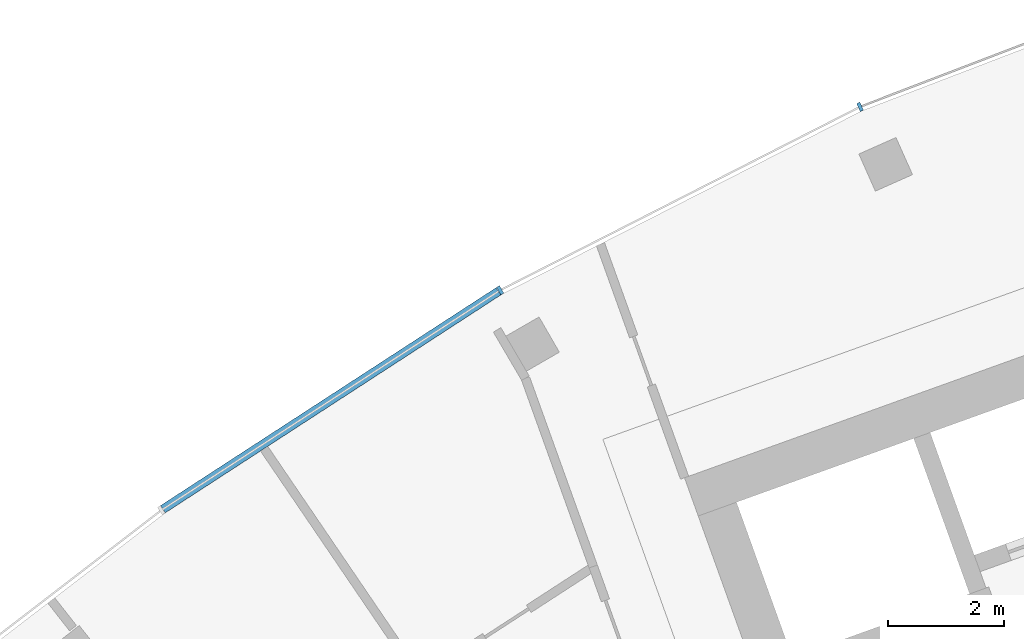
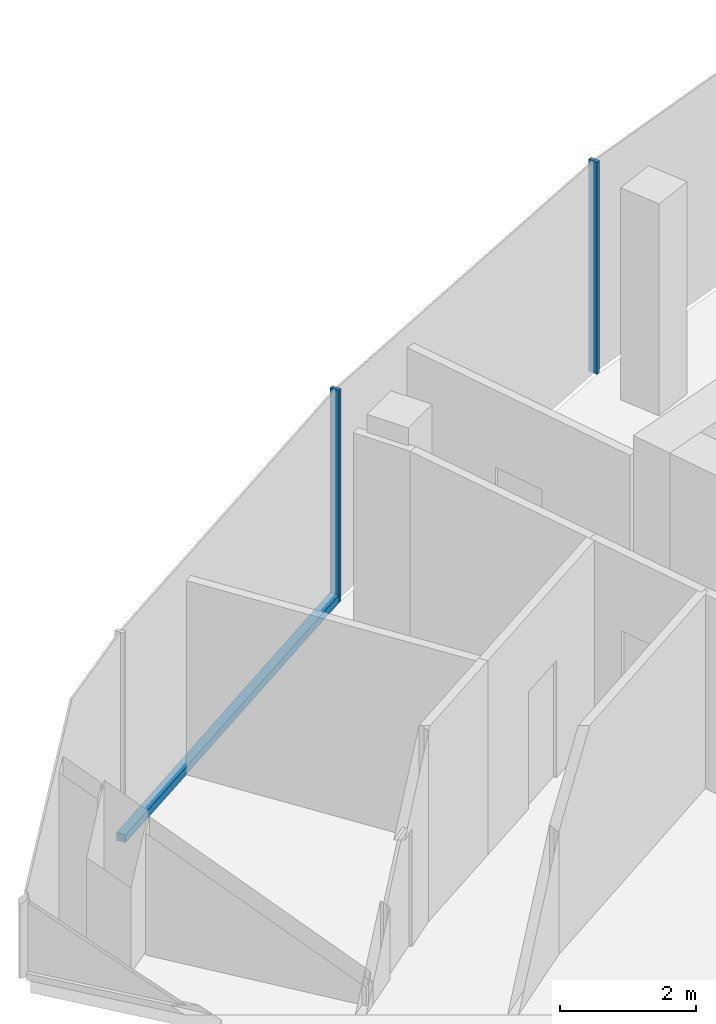
# One storey, part 4 of 18: 3 members, 1 element without a shape of its own.
"""IFC4 building model written with IfcOpenShell, lengths in metres."""

import ifcopenshell
import ifcopenshell.guid

model = None  # the IFC model being written
_history = None  # IfcOwnerHistory: only IFC2X3 demands one
_inside = {}  # id of a spatial element -> (the spatial element, [elements in it])
_under = {}  # id of a project, library or spatial element -> (it, [spatial elements below it])
_declared = {}  # id of a project -> (the project, [libraries it declares])
_typed = {}  # id of a type object -> (the type object, [elements of that type])
_made_of = {}  # id of a material, layer set ... -> (it, [elements and type objects made of it])


def new_model(schema):
    """Start an empty IFC model of exactly this schema.

    Asked for "IFC4X3", IfcOpenShell would pick the latest addendum, in which some entities
    have other attributes; the version numbers below select the first issue.
    IFC2X3 requires an IfcOwnerHistory on every rooted entity: one is made here for all.
    """
    global model, _history
    if schema == "IFC4X3":
        model = ifcopenshell.file(schema_version=(4, 3, 0, 0))
    else:
        model = ifcopenshell.file(schema=schema)
    _inside.clear()
    _under.clear()
    _declared.clear()
    _typed.clear()
    _made_of.clear()
    _history = None
    if model.schema == "IFC2X3":
        org = make("IfcOrganization", Name="unknown")
        user = make(
            "IfcPersonAndOrganization",
            ThePerson=make("IfcPerson", FamilyName="unknown"),
            TheOrganization=org,
        )
        app = make(
            "IfcApplication",
            ApplicationDeveloper=org,
            Version="unknown",
            ApplicationFullName="unknown",
            ApplicationIdentifier="unknown",
        )
        _history = make(
            "IfcOwnerHistory",
            OwningUser=user,
            OwningApplication=app,
            ChangeAction="ADDED",
            CreationDate=0,
        )
    return model


def make(cls, **values):
    """One entity of the class cls with the attributes given. An attribute that is None is left unset."""
    return model.create_entity(
        cls, **{name: value for name, value in values.items() if value is not None}
    )


def rooted(cls, **values):
    """An entity with a GlobalId (a new one), such as an element, a storey or a relation."""
    return make(cls, GlobalId=ifcopenshell.guid.new(), OwnerHistory=_history, **values)


def si_unit(unit_type, name, prefix=None):
    """IfcSIUnit, for example si_unit("LENGTHUNIT", "METRE", prefix="MILLI")."""
    return make("IfcSIUnit", UnitType=unit_type, Prefix=prefix, Name=name)


def assignment(units):
    """IfcUnitAssignment: the units of a project."""
    return None if units is None else make("IfcUnitAssignment", Units=units)


def point(xyz):
    """IfcCartesianPoint."""
    return None if xyz is None else make("IfcCartesianPoint", Coordinates=xyz)


def direction(xyz):
    """IfcDirection."""
    return None if xyz is None else make("IfcDirection", DirectionRatios=xyz)


def frame(location, z_axis=None, x_axis=None):
    """IfcAxis2Placement3D, a coordinate frame: its origin and axes. An axis left out is left unset."""
    return make(
        "IfcAxis2Placement3D",
        Location=point(location),
        Axis=direction(z_axis),
        RefDirection=direction(x_axis),
    )


def frame_2d(location, x_axis=None):
    """IfcAxis2Placement2D, a coordinate frame in the plane: its origin and x axis."""
    return make(
        "IfcAxis2Placement2D", Location=point(location), RefDirection=direction(x_axis)
    )


def origin():
    """The frame at (0, 0, 0) with its axes left unset."""
    return frame((0.0, 0.0, 0.0))


def origin_2d():
    """The frame at (0, 0) in the plane with its x axis left unset."""
    return frame_2d((0.0, 0.0))


def place(relative_to, where):
    """IfcLocalPlacement: puts the frame where relative to a parent placement (None: the world)."""
    return make(
        "IfcLocalPlacement", PlacementRelTo=relative_to, RelativePlacement=where
    )


def context(
    kind, dimensions, precision=None, world=None, true_north=None, identifier=None
):
    """IfcGeometricRepresentationContext, for example the 3D "Model" context."""
    return make(
        "IfcGeometricRepresentationContext",
        ContextIdentifier=identifier,
        ContextType=kind,
        CoordinateSpaceDimension=dimensions,
        Precision=precision,
        WorldCoordinateSystem=world,
        TrueNorth=true_north,
    )


def subcontext(parent, identifier, kind, view, scale=None):
    """IfcGeometricRepresentationSubContext, for example "Body" below "Model"."""
    return make(
        "IfcGeometricRepresentationSubContext",
        ContextIdentifier=identifier,
        ContextType=kind,
        ParentContext=parent,
        TargetScale=scale,
        TargetView=view,
    )


def project(units=None, contexts=None):
    """IfcProject with its units and contexts."""
    return rooted(
        "IfcProject",
        Name="project",
        RepresentationContexts=contexts,
        UnitsInContext=assignment(units),
    )


def spatial(cls, under=None, at=None, **own):
    """A site, building, storey or space (cls), placed at a placement, below another one or the project."""
    s = rooted(cls, ObjectPlacement=at, **own)
    if under is not None:
        _under.setdefault(under.id(), (under, []))[1].append(s)
    return s


def profile(cls, at=None, kind="AREA", **sizes):
    """A parametric profile (cls). Its sizes go by their IFC names, for example OverallWidth=200.0."""
    return make(cls, ProfileType=kind, Position=at, **sizes)


def rectangle(**sizes):
    """IfcRectangleProfileDef."""
    return profile("IfcRectangleProfileDef", **sizes)


def extrude(swept, where, along, depth):
    """IfcExtrudedAreaSolid: the profile swept, set in the frame where, extruded along a direction by depth."""
    return make(
        "IfcExtrudedAreaSolid",
        SweptArea=swept,
        Position=where,
        ExtrudedDirection=direction(along),
        Depth=depth,
    )


def shape(context_of_items, identifier, shape_type, items):
    """IfcShapeRepresentation: the items that make up one representation, for example the "Body"."""
    return make(
        "IfcShapeRepresentation",
        ContextOfItems=context_of_items,
        RepresentationIdentifier=identifier,
        RepresentationType=shape_type,
        Items=items,
    )


def material(Name=None, Category=None):
    """IfcMaterial."""
    return make("IfcMaterial", Name=Name, Category=Category)


def layer(
    of_material, thickness, ventilated=None, Name=None, Category=None, Priority=None
):
    """IfcMaterialLayer: one layer of a wall or slab, of a material (None: an air gap)."""
    return make(
        "IfcMaterialLayer",
        Material=of_material,
        LayerThickness=thickness,
        IsVentilated=ventilated,
        Name=Name,
        Category=Category,
        Priority=Priority,
    )


def layer_set(layers, Name=None):
    """IfcMaterialLayerSet."""
    return make("IfcMaterialLayerSet", MaterialLayers=layers, LayerSetName=Name)


def material_profile(
    of_material, cross_section, Name=None, Category=None, Priority=None
):
    """IfcMaterialProfile: a cross section and its material."""
    return make(
        "IfcMaterialProfile",
        Name=Name,
        Material=of_material,
        Profile=cross_section,
        Priority=Priority,
        Category=Category,
    )


def profile_set(profiles, Name=None, composite=None):
    """IfcMaterialProfileSet."""
    return make(
        "IfcMaterialProfileSet",
        Name=Name,
        MaterialProfiles=profiles,
        CompositeProfile=composite,
    )


def made_of(thing, what):
    """Note that an element or type object is made of a material, layer set ...; save() writes the relation."""
    if what is not None:
        _made_of.setdefault(what.id(), (what, []))[1].append(thing)
    return thing


def type_object(cls, material=None, **own):
    """A type object (cls), such as IfcWallType, which elements share."""
    return made_of(rooted(cls, **own), material)


def element(
    cls,
    number,
    at=None,
    inside=None,
    cuts=None,
    type_object=None,
    material=None,
    context=None,
    identifier="Body",
    shape_type=None,
    held_by="IfcProductDefinitionShape",
    body=None,
    shapes=None,
    **own,
):
    """One element of the class cls, such as IfcWall. Its Tag is "e" and its number.

    at: its placement. inside: the storey or other place that contains it. cuts: it is an
    opening in that element (IfcRelVoidsElement). A single representation is given by context,
    identifier, shape_type and body (its items); several are given by shapes. held_by: the class
    of the entity that holds the representations. save() writes the other relations.
    """
    e = rooted(cls, Tag="e%d" % number, ObjectPlacement=at, **own)
    if body is not None:
        shapes = [shape(context, identifier, shape_type, body)]
    if shapes is not None:
        e.Representation = make(held_by, Representations=shapes)
    if inside is not None:
        _inside.setdefault(inside.id(), (inside, []))[1].append(e)
    if cuts is not None:
        rooted(
            "IfcRelVoidsElement", RelatingBuildingElement=cuts, RelatedOpeningElement=e
        )
    if type_object is not None:
        _typed.setdefault(type_object.id(), (type_object, []))[1].append(e)
    return made_of(e, material)


def aggregate(whole, parts):
    """IfcRelAggregates: a whole, such as a stair, and the parts it consists of."""
    return rooted("IfcRelAggregates", RelatingObject=whole, RelatedObjects=parts)


def save(model, path):
    """Write the relations noted so far, then the file.

    IfcRelAggregates (storeys below a building ...), IfcRelContainedInSpatialStructure (elements
    in a storey), IfcRelDefinesByType, IfcRelAssociatesMaterial and IfcRelDeclares: one each for
    every whole, place, type object, material and project.
    """
    for whole, parts in _under.values():
        aggregate(whole, parts)
    for where, things in _inside.values():
        rooted(
            "IfcRelContainedInSpatialStructure",
            RelatedElements=things,
            RelatingStructure=where,
        )
    for kind, things in _typed.values():
        rooted("IfcRelDefinesByType", RelatedObjects=things, RelatingType=kind)
    for what, things in _made_of.values():
        rooted("IfcRelAssociatesMaterial", RelatedObjects=things, RelatingMaterial=what)
    for by, libraries in _declared.values():
        rooted("IfcRelDeclares", RelatingContext=by, RelatedDefinitions=libraries)
    model.write(path)


model = new_model("IFC4")

# Units and contexts
model_context = context("Model", 3, precision=1e-05, world=origin(), true_north=direction((0.0, 1.0)))
body_context = subcontext(model_context, "Body", "Model", "MODEL_VIEW")
ifc_project = project(units=[si_unit("LENGTHUNIT", "METRE"), si_unit("AREAUNIT", "SQUARE_METRE"), si_unit("VOLUMEUNIT", "CUBIC_METRE"), si_unit("PLANEANGLEUNIT", "RADIAN"), si_unit("MASSUNIT", "GRAM", prefix="KILO")], contexts=[model_context])

# Site, building, storey
site_placement = place(None, origin())
site = spatial("IfcSite", under=ifc_project, at=site_placement, CompositionType="ELEMENT")
building_placement = place(site_placement, origin())
building = spatial("IfcBuilding", under=site, at=building_placement, Name="Stone Belt Terrace Tower", CompositionType="ELEMENT")
storey_placement = place(building_placement, frame((0.0, 0.0, 261.800048828125)))
storey = spatial("IfcBuildingStorey", under=building, at=storey_placement, Name="L63", CompositionType="ELEMENT", Elevation=261.800048828125)

# Curtain wall, members
ifc_material = material(Name="Aluminium 6063-T6 anodised frame", Category="aluminium")
ifc_layer = layer(ifc_material, 0.14990234375)
ifc_layer_set = layer_set([ifc_layer], Name="CW-A unitised convex-face curtain wall")
curtain_wall_type = type_object("IfcCurtainWallType", Name="CW-A unitised convex-face curtain wall", PredefinedType="NOTDEFINED", material=ifc_layer_set)
curtain_wall_placement = place(storey_placement, origin())
curtain_wall = element("IfcCurtainWall", 1, at=curtain_wall_placement, inside=storey, type_object=curtain_wall_type, Name="CW-A convex face L63", PredefinedType="NOTDEFINED")
ifc_material_profile_1 = material_profile(ifc_material, rectangle(XDim=0.14990234375, YDim=0.06005859375, at=origin_2d()), Name="Aluminium 6063-T6 60x150")
ifc_profile_set_1 = profile_set([ifc_material_profile_1], Name="Aluminium 6063-T6 anodised frame")
member_type_1 = type_object("IfcMemberType", Name="CW-A mullion 60 x 150", PredefinedType="MULLION", material=ifc_profile_set_1)
member_1_placement = place(storey_placement, frame((-27.07861328125, 60.8193359375, 0.0), z_axis=(0.0, 0.0, 1.0), x_axis=(0.406736643076, -0.913545457643, 0.0)))
member_1 = element("IfcMember", 2, at=member_1_placement, type_object=member_type_1, Name="CW-A mullion 12", PredefinedType="MULLION", context=body_context, shape_type="SweptSolid", body=[
    extrude(rectangle(XDim=0.14990234375, YDim=0.06005859375, at=origin_2d()), origin(), (0.0, 0.0, 1.0), 3.800048828125),
])
member_2_placement = place(storey_placement, frame((-33.28759765625, 57.65576171875, 0.0), z_axis=(0.0, 0.0, 1.0), x_axis=(0.5, -0.866025403784, 0.0)))
member_2 = element("IfcMember", 3, at=member_2_placement, type_object=member_type_1, Name="CW-A mullion 13", PredefinedType="MULLION", context=body_context, shape_type="SweptSolid", body=[
    extrude(rectangle(XDim=0.14990234375, YDim=0.06005859375, at=origin_2d()), origin(), (0.0, 0.0, 1.0), 3.800048828125),
])
ifc_material_profile_2 = material_profile(ifc_material, rectangle(XDim=0.14990234375, YDim=0.139892578125, at=origin_2d()), Name="Aluminium 6063-T6 150x140")
ifc_profile_set_2 = profile_set([ifc_material_profile_2], Name="Aluminium 6063-T6 anodised frame")
member_type_2 = type_object("IfcMemberType", Name="CW-A transom 140 x 150", PredefinedType="USERDEFINED", material=ifc_profile_set_2)
member_3_placement = place(storey_placement, frame((-33.31591796875, 57.63720703125, 0.070068359375), z_axis=(-0.83868440714, -0.544617723931, 0.0), x_axis=(0.544617723931, -0.83868440714, 0.0)))
member_3 = element("IfcMember", 4, at=member_3_placement, type_object=member_type_2, Name="CW-A transom 13.1", ObjectType="TRANSOM", PredefinedType="USERDEFINED", context=body_context, shape_type="SweptSolid", body=[
    extrude(rectangle(XDim=0.14990234375, YDim=0.139892578125, at=origin_2d()), origin(), (0.0, 0.0, 1.0), 6.90087890625),
])
aggregate(curtain_wall, [member_1, member_2, member_3])

save(model, "model.ifc")
